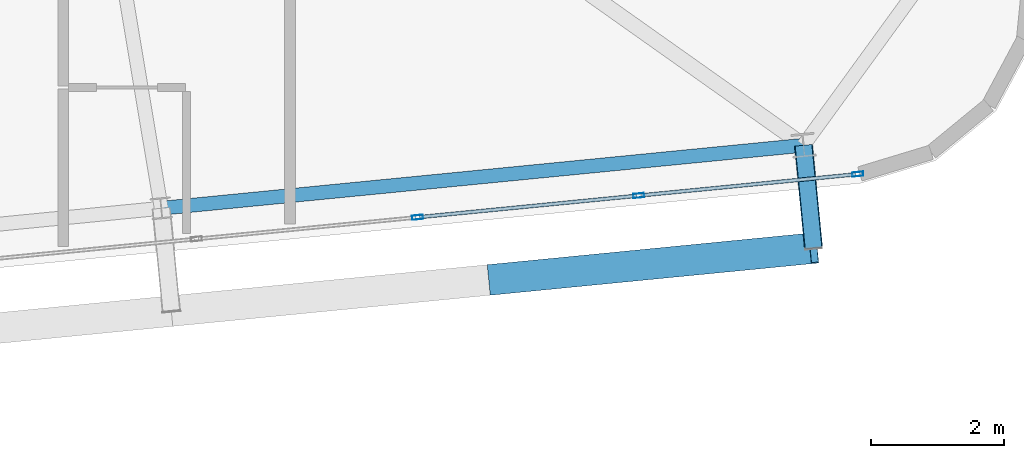
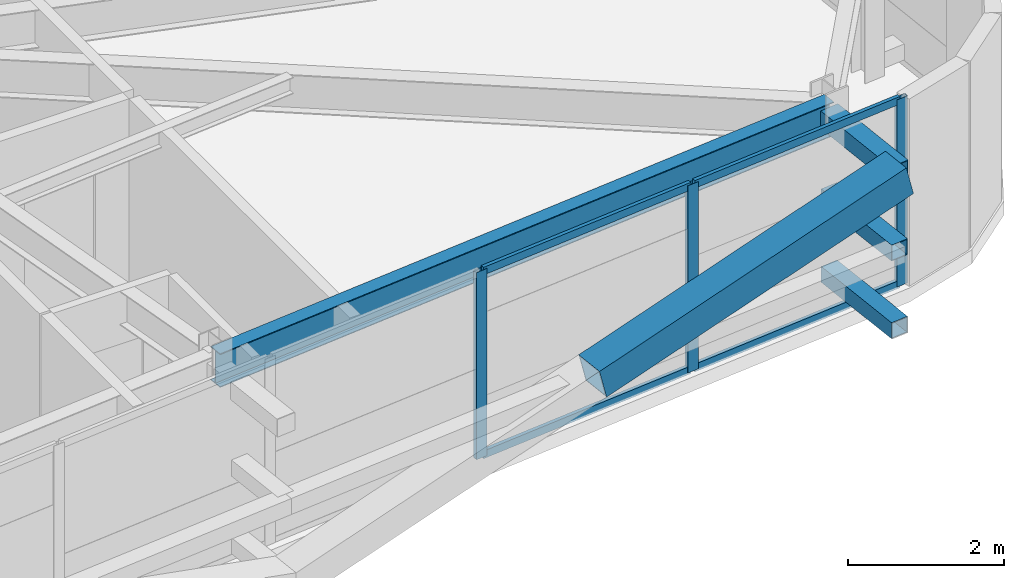
# One storey, part 20 of 54: 11 members, 1 beam, 1 element without a shape of its own.
"""IFC4 building model written with IfcOpenShell, lengths in metres."""

from ifc_helpers import new_model, si_unit, direction, frame, origin, origin_2d, place, context, subcontext, project, spatial, hollow_rectangle, i_section, extrude, source, transform, mapped, material, layer, layer_set, material_profile, profile_set, type_object, element, aggregate, save


model = new_model("IFC4")

# Units and contexts
model_context = context("Model", 3, precision=1e-05, world=origin(), true_north=direction((0.0, 1.0)))
body_context = subcontext(model_context, "Body", "Model", "MODEL_VIEW")
ifc_project = project(units=[si_unit("LENGTHUNIT", "METRE"), si_unit("AREAUNIT", "SQUARE_METRE"), si_unit("VOLUMEUNIT", "CUBIC_METRE"), si_unit("PLANEANGLEUNIT", "RADIAN"), si_unit("MASSUNIT", "GRAM", prefix="KILO")], contexts=[model_context])

# Site, building, storey
site_placement = place(None, origin())
site = spatial("IfcSite", under=ifc_project, at=site_placement, CompositionType="ELEMENT")
building_placement = place(site_placement, origin())
building = spatial("IfcBuilding", under=site, at=building_placement, Name="Taldren Reach Tower", CompositionType="ELEMENT")
storey_placement = place(building_placement, frame((0.0, 0.0, 99.75)))
storey = spatial("IfcBuildingStorey", under=building, at=storey_placement, Name="L30", CompositionType="ELEMENT", Elevation=99.75)

# Members
ifc_material_1 = material(Name="Steel Gr 450 (C450L0)", Category="steel")
ifc_material_profile_1 = material_profile(ifc_material_1, hollow_rectangle(XDim=0.27490234375, YDim=0.27490234375, WallThickness=0.00927734375, at=origin_2d()), Name="275x275x9.3SHS")
ifc_profile_set_1 = profile_set([ifc_material_profile_1], Name="Steel Gr 450 (C450L0)")
member_type_1 = type_object("IfcMemberType", Name="MB-TIE273", PredefinedType="STRUT", material=ifc_profile_set_1)
shared_shape_1 = source(origin(), body_context, "Body", "SweptSolid", [
    extrude(hollow_rectangle(XDim=0.27490234375, YDim=0.27490234375, WallThickness=0.00927734375, at=origin_2d()), origin(), (0.0, 0.0, 1.0), 1.5498046875),
])
member_1_placement = place(storey_placement, frame((63.103271484375, 4.64306640625, 2.64990234375), z_axis=(0.097507178627, -0.995234821595, 0.0), x_axis=(0.995234821595, 0.097507178627, 0.0)))
element("IfcMember", 1, at=member_1_placement, inside=storey, type_object=member_type_1, Name="Exoskeleton diaphragm tie strut B2-S6 L30", PredefinedType="STRUT", context=body_context, shape_type="MappedRepresentation", body=[
    mapped(shared_shape_1, transform((0.0, 0.0, 0.0), scale=1.0)),
])
ifc_material_2 = material(Name="Steel Gr 350 (C350L0)", Category="steel")
ifc_material_profile_2 = material_profile(ifc_material_2, hollow_rectangle(XDim=0.25, YDim=0.25, WallThickness=0.010009765625, at=origin_2d()), Name="250x250x10.0SHS")
ifc_profile_set_2 = profile_set([ifc_material_profile_2], Name="Steel Gr 350 (C350L0)")
member_type_2 = type_object("IfcMemberType", Name="MB-POST250", PredefinedType="POST", material=ifc_profile_set_2)
shared_shape_2 = source(origin(), body_context, "Body", "SweptSolid", [
    extrude(hollow_rectangle(XDim=0.25, YDim=0.25, WallThickness=0.010009765625, at=origin_2d()), origin(), (0.0, 0.0, 1.0), 1.5498046875),
])
for number, where, z_axis, x_axis, name in (
    (2, (63.103271484375, 4.64306640625, 0.219970703125), (0.097507178627, -0.995234821595, 0.0), (0.995234821595, 0.097507178627, 0.0), "Exoskeleton base diaphragm tie strut B2-S6 L30"),
    (3, (63.103271484375, 4.64306640625, 1.43505859375), (0.097507178627, -0.995234821595, 0.0), (0.995234821595, 0.097507178627, 0.0), "Exoskeleton mid-tier diaphragm tie B2-S6 L30"),
):
    element("IfcMember", number, at=place(storey_placement, frame(where, z_axis=z_axis, x_axis=x_axis)), inside=storey, type_object=member_type_2, Name=name, PredefinedType="POST", context=body_context, shape_type="MappedRepresentation", body=[
        mapped(shared_shape_2, transform((0.0, 0.0, 0.0), scale=1.0)),
    ])

# Beam
ifc_material_3 = material(Name="Steel Gr 350 (350PLUS)", Category="steel")
ifc_material_profile_3 = material_profile(ifc_material_3, i_section(OverallWidth=0.208984375, OverallDepth=0.528076171875, WebThickness=0.009521484375, FlangeThickness=0.01318359375, at=origin_2d()), Name="530UB82.0")
ifc_profile_set_3 = profile_set([ifc_material_profile_3], Name="Steel Gr 350 (350PLUS)")
beam_type = type_object("IfcBeamType", Name="SP-UB530B", PredefinedType="SPANDREL", material=ifc_profile_set_3)
shared_shape_3 = source(origin(), body_context, "Body", "SweptSolid", [
    extrude(i_section(OverallWidth=0.208984375, OverallDepth=0.528076171875, WebThickness=0.009521484375, FlangeThickness=0.01318359375, at=origin_2d()), origin(), (0.0, 0.0, 1.0), 9.679931640625),
])
beam_placement = place(storey_placement, frame((53.469482421875, 3.698486328125, 2.666015625), z_axis=(0.995227612658, 0.097580730699, 0.0), x_axis=(-0.097580730699, 0.995227612658, 0.0)))
element("IfcBeam", 4, at=beam_placement, inside=storey, type_object=beam_type, Name="Perimeter spandrel B2 S5-S6 L30", PredefinedType="SPANDREL", context=body_context, shape_type="MappedRepresentation", body=[
    mapped(shared_shape_3, transform((0.0, 0.0, 0.0), scale=1.0)),
])

# Member
ifc_material_profile_4 = material_profile(ifc_material_1, hollow_rectangle(XDim=0.4599609375, YDim=0.4599609375, WallThickness=0.01611328125, at=origin_2d()), Name="460x460x16.0SHS")
ifc_profile_set_4 = profile_set([ifc_material_profile_4], Name="Steel Gr 450 (C450L0)")
member_type_3 = type_object("IfcMemberType", Name="MB-EXO457", PredefinedType="BRACE", material=ifc_profile_set_4)
shared_shape_4 = source(origin(), body_context, "Body", "SweptSolid", [
    extrude(hollow_rectangle(XDim=0.4599609375, YDim=0.4599609375, WallThickness=0.01611328125, at=origin_2d()), origin(), (0.0, 0.0, 1.0), 4.990234375),
])
member_2_placement = place(storey_placement, frame((58.4375, 2.628173828125, 1.43505859375), z_axis=(0.965282554799, 0.094669120301, 0.243448859234), x_axis=(-0.097605711627, 0.995225162995, 0.0)))
element("IfcMember", 5, at=member_2_placement, inside=storey, type_object=member_type_3, Name="Exoskeleton Diagrid Brace B2-S5 L30", PredefinedType="BRACE", context=body_context, shape_type="MappedRepresentation", body=[
    mapped(shared_shape_4, transform((0.0, 0.0, 0.0), scale=1.0)),
])

# Curtain wall, members
ifc_material_4 = material(Name="Aluminium and Low-E Glass Unitised System", Category="aluminium")
ifc_layer = layer(ifc_material_4, 0.159912109375)
ifc_layer_set = layer_set([ifc_layer], Name="Aluminium and Low-E Glass Unitised System")
curtain_wall_type = type_object("IfcCurtainWallType", Name="CW-SYS-3", PredefinedType="NOTDEFINED", material=ifc_layer_set)
curtain_wall_placement = place(storey_placement, origin())
curtain_wall = element("IfcCurtainWall", 6, at=curtain_wall_placement, inside=storey, type_object=curtain_wall_type, Name="Unitised curtain wall CW-L30-S", PredefinedType="NOTDEFINED")
ifc_material_5 = material(Name="Anodised Aluminium 6063-T6", Category="aluminium")
ifc_material_profile_5 = material_profile(ifc_material_5, hollow_rectangle(XDim=0.06494140625, YDim=0.1650390625, WallThickness=0.00390625, at=origin_2d()), Name="ALU-165x65x4RHS")
ifc_profile_set_5 = profile_set([ifc_material_profile_5], Name="Anodised Aluminium 6063-T6")
member_type_4 = type_object("IfcMemberType", Name="CW-MUL-165", PredefinedType="MULLION", material=ifc_profile_set_5)
shared_shape_5 = source(origin(), body_context, "Body", "SweptSolid", [
    extrude(hollow_rectangle(XDim=0.06494140625, YDim=0.1650390625, WallThickness=0.00390625, at=origin_2d()), origin(), (0.0, 0.0, 1.0), 2.929931640625),
])
member_3_placement = place(storey_placement, frame((57.314208984375, 3.56298828125, 0.0), z_axis=(0.0, 0.0, 1.0), x_axis=(-0.097582999046, 0.995227390247, 0.0)))
member_3 = element("IfcMember", 7, at=member_3_placement, type_object=member_type_4, Name="CW-3 mullion 14", PredefinedType="MULLION", context=body_context, shape_type="MappedRepresentation", body=[
    mapped(shared_shape_5, transform((0.0, 0.0, 0.0), scale=1.0)),
])
member_4_placement = place(storey_placement, frame((60.631591796875, 3.888427734375, 0.0), z_axis=(0.0, 0.0, 1.0), x_axis=(-0.097582999046, 0.995227390247, 0.0)))
member_4 = element("IfcMember", 8, at=member_4_placement, type_object=member_type_4, Name="CW-3 mullion 15", PredefinedType="MULLION", context=body_context, shape_type="MappedRepresentation", body=[
    mapped(shared_shape_5, transform((0.0, 0.0, 0.0), scale=1.0)),
])
member_5_placement = place(storey_placement, frame((63.916748046875, 4.21044921875, 0.0), z_axis=(0.0, 0.0, 1.0), x_axis=(-0.097582999046, 0.995227390247, 0.0)))
member_5 = element("IfcMember", 9, at=member_5_placement, type_object=member_type_4, Name="CW-3 mullion 16", PredefinedType="MULLION", context=body_context, shape_type="MappedRepresentation", body=[
    mapped(shared_shape_5, transform((0.0, 0.0, 0.0), scale=1.0)),
])
ifc_material_profile_6 = material_profile(ifc_material_5, hollow_rectangle(XDim=0.054931640625, YDim=0.1201171875, WallThickness=0.0029296875, at=origin_2d()), Name="ALU-120x55x3RHS")
ifc_profile_set_6 = profile_set([ifc_material_profile_6], Name="Anodised Aluminium 6063-T6")
member_type_5 = type_object("IfcMemberType", Name="CW-TRN-135", PredefinedType="USERDEFINED", material=ifc_profile_set_6)
shared_shape_6 = source(origin(), body_context, "Body", "SweptSolid", [
    extrude(hollow_rectangle(XDim=0.054931640625, YDim=0.1201171875, WallThickness=0.0029296875, at=origin_2d()), origin(), (0.0, 0.0, 1.0), 3.23583984375),
])
member_6_placement = place(storey_placement, frame((60.6640625, 3.8916015625, 0.027587890625), z_axis=(0.995230248826, 0.097553840629, 0.0), x_axis=(-0.097553840629, 0.995230248826, 0.0)))
member_6 = element("IfcMember", 10, at=member_6_placement, type_object=member_type_5, Name="CW-3 transom 15.1", ObjectType="TRANSOM", PredefinedType="USERDEFINED", context=body_context, shape_type="MappedRepresentation", body=[
    mapped(shared_shape_6, transform((0.0, 0.0, 0.0), scale=1.0)),
])
member_7_placement = place(storey_placement, frame((60.6640625, 3.8916015625, 2.902587890625), z_axis=(0.995230248826, 0.097553840629, 0.0), x_axis=(-0.097553840629, 0.995230248826, 0.0)))
member_7 = element("IfcMember", 11, at=member_7_placement, type_object=member_type_5, Name="CW-3 transom 15.2", ObjectType="TRANSOM", PredefinedType="USERDEFINED", context=body_context, shape_type="MappedRepresentation", body=[
    mapped(shared_shape_6, transform((0.0, 0.0, 0.0), scale=1.0)),
])
shared_shape_7 = source(origin(), body_context, "Body", "SweptSolid", [
    extrude(hollow_rectangle(XDim=0.054931640625, YDim=0.1201171875, WallThickness=0.0029296875, at=origin_2d()), origin(), (0.0, 0.0, 1.0), 3.268310546875),
])
member_8_placement = place(storey_placement, frame((57.3466796875, 3.566162109375, 0.027587890625), z_axis=(0.995222549564, 0.097632355496, 0.0), x_axis=(-0.097632355496, 0.995222549564, 0.0)))
member_8 = element("IfcMember", 12, at=member_8_placement, type_object=member_type_5, Name="CW-3 transom 14.1", ObjectType="TRANSOM", PredefinedType="USERDEFINED", context=body_context, shape_type="MappedRepresentation", body=[
    mapped(shared_shape_7, transform((0.0, 0.0, 0.0), scale=1.0)),
])
member_9_placement = place(storey_placement, frame((57.3466796875, 3.566162109375, 2.902587890625), z_axis=(0.995222549564, 0.097632355496, 0.0), x_axis=(-0.097632355496, 0.995222549564, 0.0)))
member_9 = element("IfcMember", 13, at=member_9_placement, type_object=member_type_5, Name="CW-3 transom 14.2", ObjectType="TRANSOM", PredefinedType="USERDEFINED", context=body_context, shape_type="MappedRepresentation", body=[
    mapped(shared_shape_7, transform((0.0, 0.0, 0.0), scale=1.0)),
])
aggregate(curtain_wall, [member_3, member_4, member_5, member_8, member_9, member_6, member_7])

save(model, "model.ifc")
